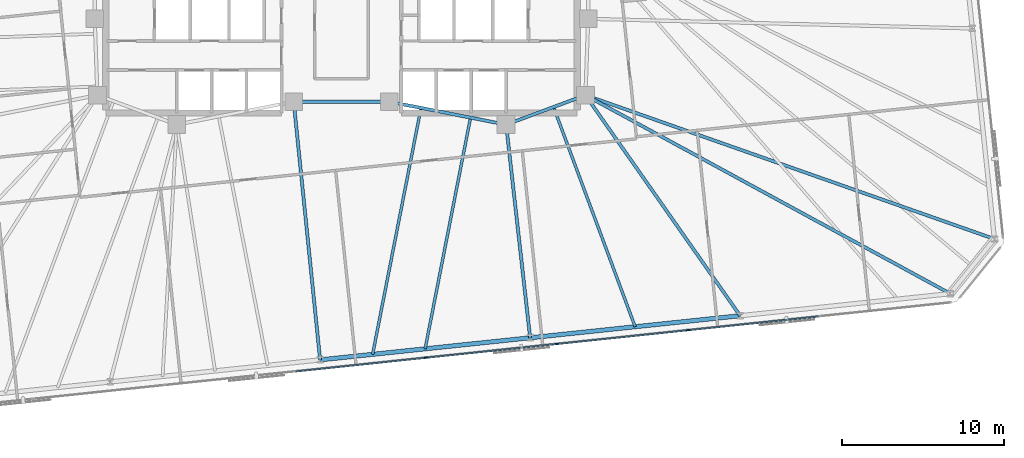
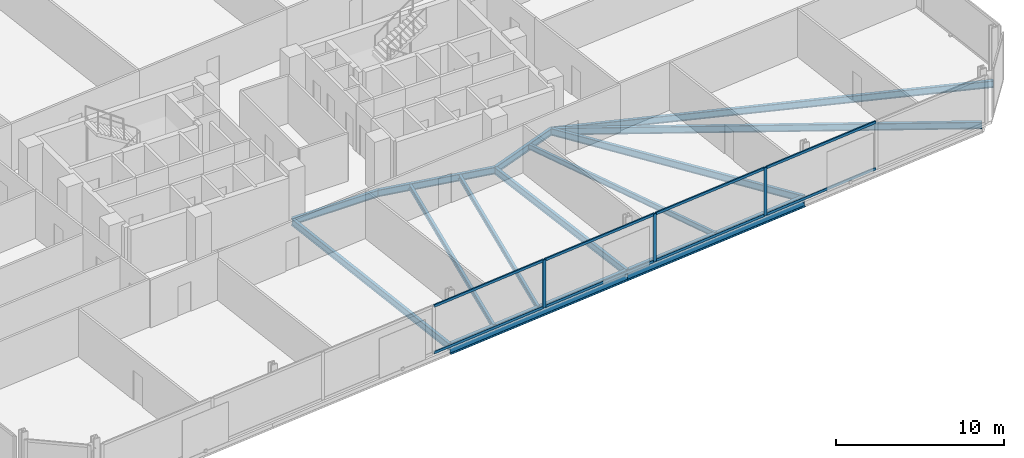
# One storey, part 7 of 18: 13 beams, 11 members, 1 element without a shape of its own.
"""IFC4 building model written with IfcOpenShell, lengths in metres."""

from ifc_helpers import new_model, si_unit, direction, frame, origin, origin_2d, place, context, subcontext, project, spatial, rectangle, i_section, extrude, material, material_profile, profile_set, type_object, element, aggregate, save


model = new_model("IFC4")

# Units and contexts
model_context = context("Model", 3, precision=1e-05, world=origin(), true_north=direction((0.0, 1.0)))
body_context = subcontext(model_context, "Body", "Model", "MODEL_VIEW")
ifc_project = project(units=[si_unit("LENGTHUNIT", "METRE"), si_unit("AREAUNIT", "SQUARE_METRE"), si_unit("VOLUMEUNIT", "CUBIC_METRE"), si_unit("PLANEANGLEUNIT", "RADIAN"), si_unit("MASSUNIT", "GRAM", prefix="KILO")], contexts=[model_context])

# Site, building, storey
site_placement = place(None, origin())
site = spatial("IfcSite", under=ifc_project, at=site_placement, CompositionType="ELEMENT")
building_placement = place(site_placement, origin())
building = spatial("IfcBuilding", under=site, at=building_placement, Name="Menara Jurai Vektor", CompositionType="ELEMENT")
storey_placement = place(building_placement, frame((0.0, 0.0, 98.5)))
storey = spatial("IfcBuildingStorey", under=building, at=storey_placement, Name="L24", CompositionType="ELEMENT", Elevation=98.5)

# Curtain wall, members
ifc_material_1 = material(Name="Anodised Pale Aluminium & Low-E Double Glazing", Category="aluminium")
curtain_wall_type = type_object("IfcCurtainWallType", Name="CW-BLK2", PredefinedType="NOTDEFINED", material=ifc_material_1)
curtain_wall_placement = place(storey_placement, origin())
curtain_wall = element("IfcCurtainWall", 1, at=curtain_wall_placement, inside=storey, type_object=curtain_wall_type, Name="Unitised Curtain Wall L24 F01", PredefinedType="NOTDEFINED")
ifc_material_2 = material(Name="Anodised Pale Aluminium Mullion", Category="aluminium")
ifc_material_profile_1 = material_profile(ifc_material_2, rectangle(XDim=0.090087890625, YDim=0.219970703125, at=origin_2d()), Name="ALU MUL 90x220")
ifc_profile_set_1 = profile_set([ifc_material_profile_1], Name="Anodised Pale Aluminium Mullion")
member_type_1 = type_object("IfcMemberType", Name="CW-BLK2-MUL", PredefinedType="MULLION", material=ifc_profile_set_1)
member_1_placement = place(storey_placement, frame((5.230224609375, -20.72265625, 0.0), z_axis=(0.0, 0.0, 1.0), x_axis=(-0.104528634935, 0.994521877325, 0.0)))
member_1 = element("IfcMember", 2, at=member_1_placement, type_object=member_type_1, Name="CW-02 mullion 5", PredefinedType="MULLION", context=body_context, shape_type="SweptSolid", body=[
    extrude(rectangle(XDim=0.090087890625, YDim=0.219970703125, at=origin_2d()), origin(), (0.0, 0.0, 1.0), 3.47509765625),
])
member_2_placement = place(storey_placement, frame((13.328125, -19.87158203125, 0.0), z_axis=(0.0, 0.0, 1.0), x_axis=(-0.104528634935, 0.994521877325, 0.0)))
member_2 = element("IfcMember", 3, at=member_2_placement, type_object=member_type_1, Name="CW-02 mullion 6", PredefinedType="MULLION", context=body_context, shape_type="SweptSolid", body=[
    extrude(rectangle(XDim=0.090087890625, YDim=0.219970703125, at=origin_2d()), origin(), (0.0, 0.0, 1.0), 3.47509765625),
])
member_3_placement = place(storey_placement, frame((21.426025390625, -19.020263671875, 0.0), z_axis=(0.0, 0.0, 1.0), x_axis=(-0.104528634935, 0.994521877325, 0.0)))
member_3 = element("IfcMember", 4, at=member_3_placement, type_object=member_type_1, Name="CW-02 mullion 7", PredefinedType="MULLION", context=body_context, shape_type="SweptSolid", body=[
    extrude(rectangle(XDim=0.090087890625, YDim=0.219970703125, at=origin_2d()), origin(), (0.0, 0.0, 1.0), 3.47509765625),
])
ifc_material_3 = material(Name="Anodised Pale Aluminium Transom", Category="aluminium")
ifc_material_profile_2 = material_profile(ifc_material_3, rectangle(XDim=0.090087890625, YDim=0.18505859375, at=origin_2d()), Name="ALU TRN 90x185")
ifc_profile_set_2 = profile_set([ifc_material_profile_2], Name="Anodised Pale Aluminium Transom")
member_type_2 = type_object("IfcMemberType", Name="CW-BLK2-TRN", PredefinedType="USERDEFINED", material=ifc_profile_set_2)
member_4_placement = place(storey_placement, frame((-2.82275390625, -21.569091796875, 0.044921875), z_axis=(0.994520726373, 0.10453958492, 0.0), x_axis=(-0.10453958492, 0.994520726373, 0.0)))
member_4 = element("IfcMember", 5, at=member_4_placement, type_object=member_type_2, Name="CW-02 transom 4.1", ObjectType="TRANSOM", PredefinedType="USERDEFINED", context=body_context, shape_type="SweptSolid", body=[
    extrude(rectangle(XDim=0.090087890625, YDim=0.18505859375, at=origin_2d()), origin(), (0.0, 0.0, 1.0), 8.052490234375),
])
member_5_placement = place(storey_placement, frame((-2.82275390625, -21.569091796875, 3.429931640625), z_axis=(0.994520726373, 0.10453958492, 0.0), x_axis=(-0.10453958492, 0.994520726373, 0.0)))
member_5 = element("IfcMember", 6, at=member_5_placement, type_object=member_type_2, Name="CW-02 transom 4.2", ObjectType="TRANSOM", PredefinedType="USERDEFINED", context=body_context, shape_type="SweptSolid", body=[
    extrude(rectangle(XDim=0.090087890625, YDim=0.18505859375, at=origin_2d()), origin(), (0.0, 0.0, 1.0), 8.052490234375),
])
member_6_placement = place(storey_placement, frame((5.275146484375, -20.718017578125, 0.044921875), z_axis=(0.994520726373, 0.10453958492, 0.0), x_axis=(-0.10453958492, 0.994520726373, 0.0)))
member_6 = element("IfcMember", 7, at=member_6_placement, type_object=member_type_2, Name="CW-02 transom 5.1", ObjectType="TRANSOM", PredefinedType="USERDEFINED", context=body_context, shape_type="SweptSolid", body=[
    extrude(rectangle(XDim=0.090087890625, YDim=0.18505859375, at=origin_2d()), origin(), (0.0, 0.0, 1.0), 8.052490234375),
])
member_7_placement = place(storey_placement, frame((5.275146484375, -20.718017578125, 3.429931640625), z_axis=(0.994520726373, 0.10453958492, 0.0), x_axis=(-0.10453958492, 0.994520726373, 0.0)))
member_7 = element("IfcMember", 8, at=member_7_placement, type_object=member_type_2, Name="CW-02 transom 5.2", ObjectType="TRANSOM", PredefinedType="USERDEFINED", context=body_context, shape_type="SweptSolid", body=[
    extrude(rectangle(XDim=0.090087890625, YDim=0.18505859375, at=origin_2d()), origin(), (0.0, 0.0, 1.0), 8.052490234375),
])
member_8_placement = place(storey_placement, frame((13.373046875, -19.86669921875, 0.044921875), z_axis=(0.99452387809, 0.104509597213, 0.0), x_axis=(-0.104509597213, 0.99452387809, 0.0)))
member_8 = element("IfcMember", 9, at=member_8_placement, type_object=member_type_2, Name="CW-02 transom 6.1", ObjectType="TRANSOM", PredefinedType="USERDEFINED", context=body_context, shape_type="SweptSolid", body=[
    extrude(rectangle(XDim=0.090087890625, YDim=0.18505859375, at=origin_2d()), origin(), (0.0, 0.0, 1.0), 8.052490234375),
])
member_9_placement = place(storey_placement, frame((13.373046875, -19.86669921875, 3.429931640625), z_axis=(0.99452387809, 0.104509597213, 0.0), x_axis=(-0.104509597213, 0.99452387809, 0.0)))
member_9 = element("IfcMember", 10, at=member_9_placement, type_object=member_type_2, Name="CW-02 transom 6.2", ObjectType="TRANSOM", PredefinedType="USERDEFINED", context=body_context, shape_type="SweptSolid", body=[
    extrude(rectangle(XDim=0.090087890625, YDim=0.18505859375, at=origin_2d()), origin(), (0.0, 0.0, 1.0), 8.052490234375),
])
member_10_placement = place(storey_placement, frame((21.470947265625, -19.015625, 0.044921875), z_axis=(0.994520726373, 0.10453958492, 0.0), x_axis=(-0.10453958492, 0.994520726373, 0.0)))
member_10 = element("IfcMember", 11, at=member_10_placement, type_object=member_type_2, Name="CW-02 transom 7.1", ObjectType="TRANSOM", PredefinedType="USERDEFINED", context=body_context, shape_type="SweptSolid", body=[
    extrude(rectangle(XDim=0.090087890625, YDim=0.18505859375, at=origin_2d()), origin(), (0.0, 0.0, 1.0), 8.052490234375),
])
member_11_placement = place(storey_placement, frame((21.470947265625, -19.015625, 3.429931640625), z_axis=(0.994520726373, 0.10453958492, 0.0), x_axis=(-0.10453958492, 0.994520726373, 0.0)))
member_11 = element("IfcMember", 12, at=member_11_placement, type_object=member_type_2, Name="CW-02 transom 7.2", ObjectType="TRANSOM", PredefinedType="USERDEFINED", context=body_context, shape_type="SweptSolid", body=[
    extrude(rectangle(XDim=0.090087890625, YDim=0.18505859375, at=origin_2d()), origin(), (0.0, 0.0, 1.0), 8.052490234375),
])
aggregate(curtain_wall, [member_1, member_2, member_3, member_4, member_5, member_6, member_7, member_8, member_9, member_10, member_11])

# Beams
ifc_material_4 = material(Name="Steel S355", Category="steel")
ifc_material_profile_3 = material_profile(ifc_material_4, i_section(OverallWidth=0.199951171875, OverallDepth=0.5, WebThickness=0.011962890625, FlangeThickness=0.02001953125, at=origin_2d()), Name="PG 500x200x96")
ifc_profile_set_3 = profile_set([ifc_material_profile_3], Name="Steel S355")
beam_type_1 = type_object("IfcBeamType", Name="STR-BM-500", PredefinedType="BEAM", material=ifc_profile_set_3)
beam_1_placement = place(storey_placement, frame((10.179931640625, -6.320068359375, -0.47509765625), z_axis=(0.937424400887, 0.348188874925, 0.0), x_axis=(-0.348188874925, 0.937424400887, 0.0)))
element("IfcBeam", 13, at=beam_1_placement, inside=storey, type_object=beam_type_1, Name="Core Ring Header Girder L24-CHE-S1", PredefinedType="BEAM", context=body_context, shape_type="SweptSolid", body=[
    extrude(i_section(OverallWidth=0.199951171875, OverallDepth=0.5, WebThickness=0.011962890625, FlangeThickness=0.02001953125, at=origin_2d()), origin(), (0.0, 0.0, 1.0), 5.227294921875),
])
beam_2_placement = place(storey_placement, frame((2.949951171875, -4.89990234375, -0.47509765625), z_axis=(0.981249044334, -0.192744164614, 0.0), x_axis=(0.192744164614, 0.981249044334, 0.0)))
element("IfcBeam", 14, at=beam_2_placement, inside=storey, type_object=beam_type_1, Name="Core Ring Header Girder L24-CHE-S2", PredefinedType="BEAM", context=body_context, shape_type="SweptSolid", body=[
    extrude(i_section(OverallWidth=0.199951171875, OverallDepth=0.5, WebThickness=0.011962890625, FlangeThickness=0.02001953125, at=origin_2d()), origin(), (0.0, 0.0, 1.0), 7.3681640625),
])
beam_3_placement = place(storey_placement, frame((-2.949951171875, -4.89990234375, -0.47509765625), z_axis=(1.0, 0.0, 0.0), x_axis=(0.0, 1.0, 0.0)))
element("IfcBeam", 15, at=beam_3_placement, inside=storey, type_object=beam_type_1, Name="Core Ring Header Girder L24-CC-1", PredefinedType="BEAM", context=body_context, shape_type="SweptSolid", body=[
    extrude(i_section(OverallWidth=0.199951171875, OverallDepth=0.5, WebThickness=0.011962890625, FlangeThickness=0.02001953125, at=origin_2d()), origin(), (0.0, 0.0, 1.0), 5.89990234375),
])
beam_4_placement = place(storey_placement, frame((-1.31689453125, -20.85791015625, -0.47509765625), z_axis=(-0.101802947506, 0.994804583765, 0.0), x_axis=(-0.994804583765, -0.101802947506, 0.0)))
element("IfcBeam", 16, at=beam_4_placement, inside=storey, type_object=beam_type_1, Name="Radial Floor Girder L24-S3", PredefinedType="BEAM", context=body_context, shape_type="SweptSolid", body=[
    extrude(i_section(OverallWidth=0.199951171875, OverallDepth=0.5, WebThickness=0.011962890625, FlangeThickness=0.02001953125, at=origin_2d()), origin(), (0.0, 0.0, 1.0), 16.041259765625),
])
beam_5_placement = place(storey_placement, frame((11.66259765625, -19.493408203125, -0.47509765625), z_axis=(-0.111844331087, 0.99372573963, 0.0), x_axis=(-0.99372573963, -0.111844331087, 0.0)))
element("IfcBeam", 17, at=beam_5_placement, inside=storey, type_object=beam_type_1, Name="Radial Floor Girder L24-S4", PredefinedType="BEAM", context=body_context, shape_type="SweptSolid", body=[
    extrude(i_section(OverallWidth=0.199951171875, OverallDepth=0.5, WebThickness=0.011962890625, FlangeThickness=0.02001953125, at=origin_2d()), origin(), (0.0, 0.0, 1.0), 13.256591796875),
])
beam_6_placement = place(storey_placement, frame((24.64208984375, -18.12939453125, -0.47509765625), z_axis=(-0.574326112611, 0.818626603754, 0.0), x_axis=(-0.818626603754, -0.574326112611, 0.0)))
element("IfcBeam", 18, at=beam_6_placement, inside=storey, type_object=beam_type_1, Name="Radial Floor Girder L24-S5", PredefinedType="BEAM", context=body_context, shape_type="SweptSolid", body=[
    extrude(i_section(OverallWidth=0.199951171875, OverallDepth=0.5, WebThickness=0.011962890625, FlangeThickness=0.02001953125, at=origin_2d()), origin(), (0.0, 0.0, 1.0), 16.649169921875),
])
beam_7_placement = place(storey_placement, frame((37.621826171875, -16.76513671875, -0.47509765625), z_axis=(-0.878392468416, 0.477940029115, 0.0), x_axis=(-0.477940029115, -0.878392468416, 0.0)))
element("IfcBeam", 19, at=beam_7_placement, inside=storey, type_object=beam_type_1, Name="Radial Floor Girder L24-S6", PredefinedType="BEAM", context=body_context, shape_type="SweptSolid", body=[
    extrude(i_section(OverallWidth=0.199951171875, OverallDepth=0.5, WebThickness=0.011962890625, FlangeThickness=0.02001953125, at=origin_2d()), origin(), (0.0, 0.0, 1.0), 25.66259765625),
])
beam_8_placement = place(storey_placement, frame((40.356201171875, -13.388671875, -0.47509765625), z_axis=(-0.943368219745, 0.331747497315, 0.0), x_axis=(-0.331747497315, -0.943368219745, 0.0)))
element("IfcBeam", 20, at=beam_8_placement, inside=storey, type_object=beam_type_1, Name="Radial Floor Girder L24-E1", PredefinedType="BEAM", context=body_context, shape_type="SweptSolid", body=[
    extrude(i_section(OverallWidth=0.199951171875, OverallDepth=0.5, WebThickness=0.011962890625, FlangeThickness=0.02001953125, at=origin_2d()), origin(), (0.0, 0.0, 1.0), 26.79345703125),
])
ifc_material_profile_4 = material_profile(ifc_material_4, i_section(OverallWidth=0.175048828125, OverallDepth=0.3798828125, WebThickness=0.010009765625, FlangeThickness=0.014892578125, at=origin_2d()), Name="PG 380x175x58")
ifc_profile_set_4 = profile_set([ifc_material_profile_4], Name="Steel S355")
beam_type_2 = type_object("IfcBeamType", Name="STR-JS-380", PredefinedType="JOIST", material=ifc_profile_set_4)
beam_9_placement = place(storey_placement, frame((1.927978515625, -20.5166015625, -0.4150390625), z_axis=(0.192720963177, 0.981253601447, 0.0), x_axis=(-0.981253601447, 0.192720963177, 0.0)))
element("IfcBeam", 21, at=beam_9_placement, inside=storey, type_object=beam_type_2, Name="Radial Secondary Floor Joist L24-JS06", PredefinedType="JOIST", context=body_context, shape_type="SweptSolid", body=[
    extrude(i_section(OverallWidth=0.175048828125, OverallDepth=0.3798828125, WebThickness=0.010009765625, FlangeThickness=0.014892578125, at=origin_2d()), origin(), (0.0, 0.0, 1.0), 15.52099609375),
])
beam_10_placement = place(storey_placement, frame((5.1728515625, -20.175537109375, -0.4150390625), z_axis=(0.192719646422, 0.98125386006, 0.0), x_axis=(-0.98125386006, 0.192719646422, 0.0)))
element("IfcBeam", 22, at=beam_10_placement, inside=storey, type_object=beam_type_2, Name="Radial Secondary Floor Joist L24-JS07", PredefinedType="JOIST", context=body_context, shape_type="SweptSolid", body=[
    extrude(i_section(OverallWidth=0.175048828125, OverallDepth=0.3798828125, WebThickness=0.010009765625, FlangeThickness=0.014892578125, at=origin_2d()), origin(), (0.0, 0.0, 1.0), 14.560791015625),
])
beam_11_placement = place(storey_placement, frame((18.15234375, -18.811279296875, -0.4150390625), z_axis=(-0.348188645432, 0.937424486128, 0.0), x_axis=(-0.937424486128, -0.348188645432, 0.0)))
element("IfcBeam", 23, at=beam_11_placement, inside=storey, type_object=beam_type_2, Name="Radial Secondary Floor Joist L24-JS08", PredefinedType="JOIST", context=body_context, shape_type="SweptSolid", body=[
    extrude(i_section(OverallWidth=0.175048828125, OverallDepth=0.3798828125, WebThickness=0.010009765625, FlangeThickness=0.014892578125, at=origin_2d()), origin(), (0.0, 0.0, 1.0), 14.485595703125),
])
ifc_material_5 = material(Name="Steel S460", Category="steel")
ifc_material_profile_5 = material_profile(ifc_material_5, i_section(OverallWidth=0.26806640625, OverallDepth=0.77001953125, WebThickness=0.01611328125, FlangeThickness=0.02490234375, FilletRadius=0.01708984375, at=origin_2d()), Name="UKB 762x267x197")
ifc_profile_set_5 = profile_set([ifc_material_profile_5], Name="Steel S460")
beam_type_3 = type_object("IfcBeamType", Name="STR-SP-762", PredefinedType="SPANDREL", material=ifc_profile_set_5)
for number, where, z_axis, x_axis, name in (
    (24, (-1.31689453125, -20.85791015625, -0.610107421875), (0.994519486762, 0.104551377088, 0.0), (-0.104551377088, 0.994519486762, 0.0), "Exoskeleton Spandrel Beam L24-03"),
    (25, (11.66259765625, -19.493408203125, -0.610107421875), (0.99452337626, 0.104514372567, 0.0), (-0.104514372567, 0.99452337626, 0.0), "Exoskeleton Spandrel Beam L24-04"),
):
    element("IfcBeam", number, at=place(storey_placement, frame(where, z_axis=z_axis, x_axis=x_axis)), inside=storey, type_object=beam_type_3, Name=name, PredefinedType="SPANDREL", context=body_context, shape_type="SweptSolid", body=[
        extrude(i_section(OverallWidth=0.26806640625, OverallDepth=0.77001953125, WebThickness=0.01611328125, FlangeThickness=0.02490234375, FilletRadius=0.01708984375, at=origin_2d()), origin(), (0.0, 0.0, 1.0), 13.051025390625),
    ])

save(model, "model.ifc")
